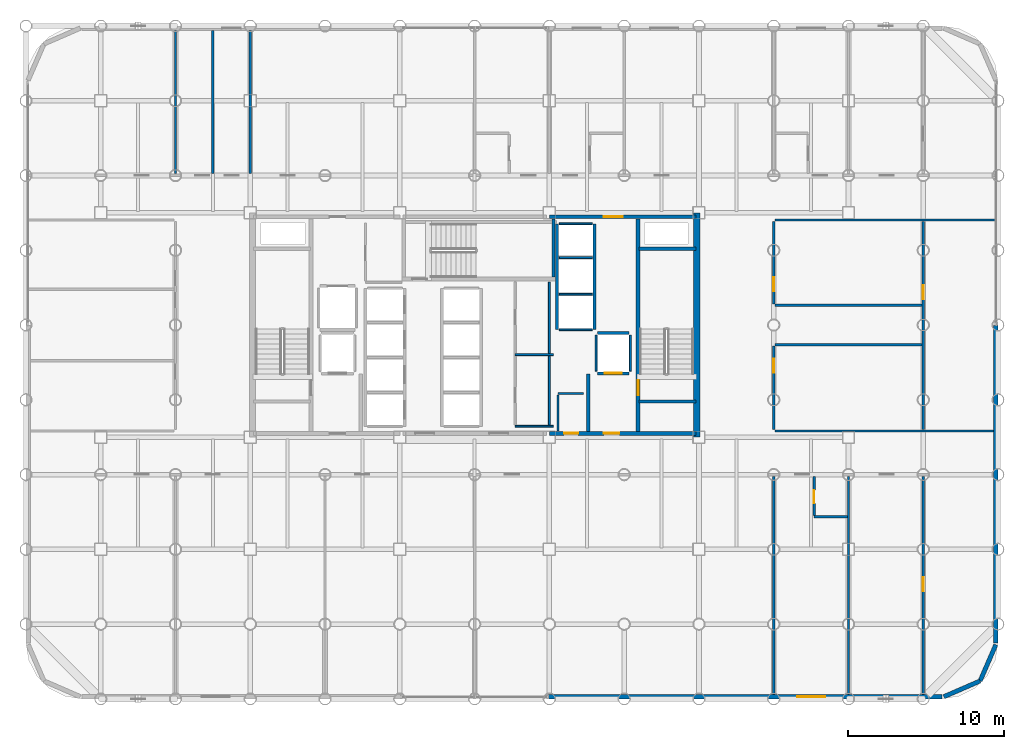
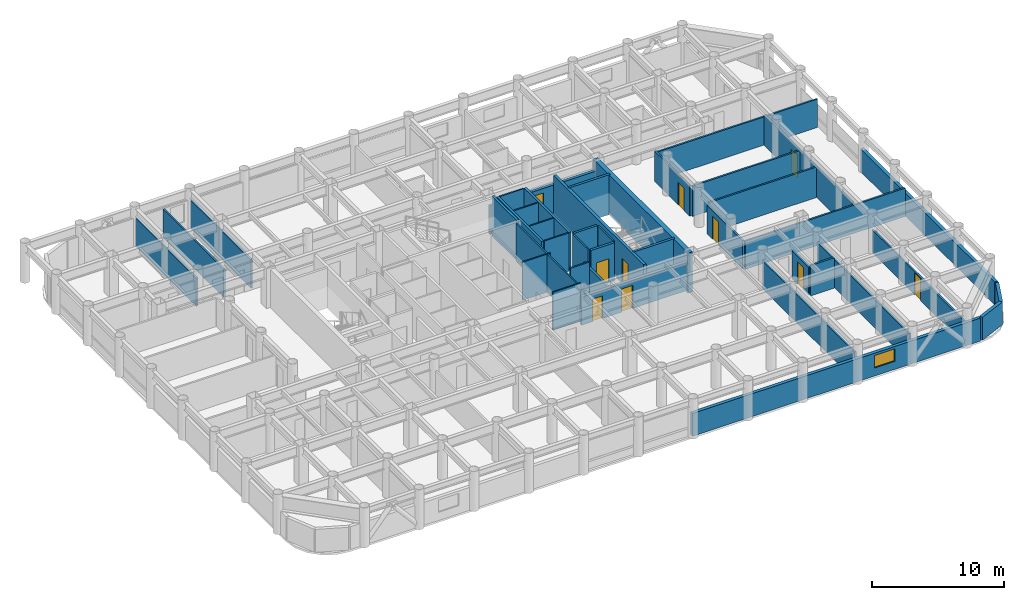
# One storey, part 16 of 19: 42 walls, 10 doors, 1 window, 11 openings.
"""IFC4 building model written with IfcOpenShell, lengths in metres."""

from ifc_helpers import new_model, si_unit, direction, frame, frame_2d, origin, place, context, subcontext, project, spatial, rectangle, extrude, material, layer, layer_set, type_object, element, fill, save


model = new_model("IFC4")

# Units and contexts
model_context = context("Model", 3, precision=1e-05, world=origin(), true_north=direction((0.0, 1.0)))
body_context = subcontext(model_context, "Body", "Model", "MODEL_VIEW")
ifc_project = project(units=[si_unit("LENGTHUNIT", "METRE"), si_unit("AREAUNIT", "SQUARE_METRE"), si_unit("VOLUMEUNIT", "CUBIC_METRE"), si_unit("PLANEANGLEUNIT", "RADIAN"), si_unit("MASSUNIT", "GRAM", prefix="KILO")], contexts=[model_context])

# Site, building, storey
site_placement = place(None, origin())
site = spatial("IfcSite", under=ifc_project, at=site_placement, CompositionType="ELEMENT")
building_placement = place(site_placement, origin())
building = spatial("IfcBuilding", under=site, at=building_placement, Name="Kallvorn Hotel Tower", CompositionType="ELEMENT")
storey_placement = place(building_placement, frame((0.0, 0.0, 63.300048828125)))
storey = spatial("IfcBuildingStorey", under=building, at=storey_placement, Name="L14", CompositionType="ELEMENT", Elevation=63.300048828125)

# Walls
ifc_material_1 = material(Name="Concrete C50/60", Category="concrete")
ifc_layer_1 = layer(ifc_material_1, 0.39990234375)
ifc_layer_set_1 = layer_set([ifc_layer_1], Name="WL_CORE_400")
wall_type_1 = type_object("IfcWallType", Name="WL_CORE_400", PredefinedType="SHEAR", material=ifc_layer_set_1)
wall_1_placement = place(storey_placement, frame((14.264892578125, -7.199951171875, -0.179931640625), z_axis=(0.0, 0.0, 1.0), x_axis=(0.0, 1.0, 0.0)))
element("IfcWall", 1, at=wall_1_placement, inside=storey, type_object=wall_type_1, Name="L14 Core East Shear Wall", PredefinedType="SHEAR", context=body_context, shape_type="SweptSolid", body=[
    extrude(rectangle(XDim=14.39990234375, YDim=0.39990234375, at=frame_2d((7.199951171875, 0.0))), origin(), (0.0, 0.0, 1.0), 3.699951171875),
])
ifc_material_2 = material(Name="Fire-rated double-layer acoustic gypsum drywall EI 60")
ifc_layer_2 = layer(ifc_material_2, 0.159912109375)
ifc_layer_set_2 = layer_set([ifc_layer_2], Name="WL_DEMISE_160")
wall_type_2 = type_object("IfcWallType", Name="WL_DEMISE_160", PredefinedType="PARTITIONING", material=ifc_layer_set_2)
wall_2_placement = place(storey_placement, frame((21.7900390625, -12.320068359375, 0.0), z_axis=(0.0, 0.0, 1.0), x_axis=(1.0, 0.0, 0.0)))
element("IfcWall", 2, at=wall_2_placement, inside=storey, type_object=wall_type_2, Name="L14 Suite 1401 Deluxe King Room Partition", PredefinedType="PARTITIONING", context=body_context, shape_type="SweptSolid", body=[
    extrude(rectangle(XDim=2.1298828125, YDim=0.159912109375, at=frame_2d((1.06494140625, 0.0))), origin(), (0.0, 0.0, 1.0), 2.820068359375),
])
wall_3_placement = place(storey_placement, frame((19.199951171875, -23.7099609375, 0.0), z_axis=(0.0, 0.0, 1.0), x_axis=(0.0, 1.0, 0.0)))
element("IfcWall", 3, at=wall_3_placement, inside=storey, type_object=wall_type_2, Name="L14 Suite 1401 Deluxe King Room Partition", PredefinedType="PARTITIONING", context=body_context, shape_type="SweptSolid", body=[
    extrude(rectangle(XDim=13.989990234375, YDim=0.159912109375, at=frame_2d((6.9951171875, 0.0))), origin(), (0.0, 0.0, 1.0), 2.619873046875),
])

# Wall, opening, door
wall_4_placement = place(storey_placement, frame((21.7900390625, -12.235107421875, 0.0), z_axis=(0.0, 0.0, 1.0), x_axis=(0.0, 1.0, 0.0)))
wall_4 = element("IfcWall", 4, at=wall_4_placement, inside=storey, type_object=wall_type_2, Name="L14 Suite 1401 Deluxe King Room Partition", PredefinedType="PARTITIONING", context=body_context, shape_type="SweptSolid", body=[
    extrude(rectangle(XDim=2.51513671875, YDim=0.159912109375, at=frame_2d((1.257568359375, 0.0))), origin(), (0.0, 0.0, 1.0), 2.619873046875),
])
opening_1_placement = place(wall_4_placement, frame((0.784912109375, 0.0, 0.0)))
opening_1 = element("IfcOpeningElement", 5, at=opening_1_placement, cuts=wall_4, Name="Opening BD-I", PredefinedType="OPENING", context=body_context, shape_type="SweptSolid", body=[
    extrude(rectangle(XDim=0.860107421875, YDim=2.10009765625, at=frame_2d((0.43017578125, 1.050048828125))), frame((0.0, 0.094970703125, 0.0), z_axis=(0.0, -1.0, 0.0), x_axis=(1.0, 0.0, 0.0)), (0.0, 0.0, 1.0), 0.18994140625),
])
ifc_material_3 = material(Name="Solid-core walnut veneer fire-rated timber door leaf", Category="wood")
door_type_1 = type_object("IfcDoorType", Name="DR_BATH_860x2100", OperationType="NOTDEFINED", PredefinedType="DOOR", material=ifc_material_3)
door_1_placement = place(opening_1_placement, origin())
door_1 = element("IfcDoor", 6, at=door_1_placement, inside=storey, type_object=door_type_1, Name="L14 Suite 1401 En-Suite Bathroom Door", OperationType="SINGLE_SWING_RIGHT", OverallHeight=2.10009765625, OverallWidth=0.860107421875, PredefinedType="DOOR", context=body_context, shape_type="SweptSolid", body=[
    extrude(rectangle(XDim=0.860107421875, YDim=2.10009765625, at=frame_2d((0.43017578125, 1.050048828125))), frame((0.0, 0.02490234375, 0.0), z_axis=(0.0, -1.0, 0.0), x_axis=(1.0, 0.0, 0.0)), (0.0, 0.0, 1.0), 0.050048828125),
])
fill(opening_1, door_1)

# Walls
wall_5_placement = place(storey_placement, frame((24.0, -23.7099609375, 0.0), z_axis=(0.0, 0.0, 1.0), x_axis=(0.0, 1.0, 0.0)))
element("IfcWall", 7, at=wall_5_placement, inside=storey, type_object=wall_type_2, Name="L14 Suite 1401 Deluxe King Room Partition", PredefinedType="PARTITIONING", context=body_context, shape_type="SweptSolid", body=[
    extrude(rectangle(XDim=13.989990234375, YDim=0.159912109375, at=frame_2d((6.9951171875, 0.0))), origin(), (0.0, 0.0, 1.0), 2.619873046875),
])
ifc_material_4 = material(Name="Precast basalt-clad insulated concrete wall C40/50", Category="masonry")
ifc_layer_3 = layer(ifc_material_4, 0.280029296875)
ifc_layer_set_3 = layer_set([ifc_layer_3], Name="WL_EXT_LOGGIA_280")
wall_type_3 = type_object("IfcWallType", Name="WL_EXT_LOGGIA_280", PredefinedType="SOLIDWALL", material=ifc_layer_set_3)
wall_6_placement = place(storey_placement, frame((30.120849609375, -23.85791015625, 0.0), z_axis=(0.0, 0.0, 1.0), x_axis=(0.917060872934, 0.398747232384, 0.0)))
element("IfcWall", 8, at=wall_6_placement, inside=storey, type_object=wall_type_3, Name="L14 Rounded Corner Exterior Wall SE1", PredefinedType="SOLIDWALL", context=body_context, shape_type="SweptSolid", body=[
    extrude(rectangle(XDim=2.5361328125, YDim=0.280029296875, at=frame_2d((1.26806640625, 0.0))), origin(), (0.0, 0.0, 1.0), 2.119873046875),
])
wall_7_placement = place(storey_placement, frame((32.446533203125, -22.8466796875, 0.0), z_axis=(0.0, 0.0, 1.0), x_axis=(0.398792985289, 0.917040977756, 0.0)))
element("IfcWall", 9, at=wall_7_placement, inside=storey, type_object=wall_type_3, Name="L14 Rounded Corner Exterior Wall SE2", PredefinedType="SOLIDWALL", context=body_context, shape_type="SweptSolid", body=[
    extrude(rectangle(XDim=2.536376953125, YDim=0.280029296875, at=frame_2d((1.26806640625, 0.0))), origin(), (0.0, 0.0, 1.0), 2.119873046875),
])

# Wall, opening, window
wall_8_placement = place(storey_placement, frame((4.75, -23.860107421875, 0.0), z_axis=(0.0, 0.0, 1.0), x_axis=(1.0, 0.0, 0.0)))
wall_8 = element("IfcWall", 10, at=wall_8_placement, inside=storey, type_object=wall_type_3, Name="L14 Exterior Envelope Wall EW-L14-SE", PredefinedType="SOLIDWALL", context=body_context, shape_type="SweptSolid", body=[
    extrude(rectangle(XDim=25.25, YDim=0.280029296875, at=frame_2d((12.625, 0.0))), origin(), (0.0, 0.0, 1.0), 2.119873046875),
])
opening_2_placement = place(wall_8_placement, frame((15.949951171875, 0.0, 0.75)))
opening_2 = element("IfcOpeningElement", 11, at=opening_2_placement, cuts=wall_8, Name="Opening W04A", PredefinedType="OPENING", context=body_context, shape_type="SweptSolid", body=[
    extrude(rectangle(XDim=1.800048828125, YDim=1.14990234375, at=frame_2d((0.89990234375, 0.574951171875))), frame((0.0, 0.155029296875, 0.0), z_axis=(0.0, -1.0, 0.0), x_axis=(1.0, 0.0, 0.0)), (0.0, 0.0, 1.0), 0.31005859375),
])
ifc_material_5 = material(Name="Double-glazed low-e solar-control dark glass", Category="glass")
window_type = type_object("IfcWindowType", Name="WN_HTL_1800x1150", PartitioningType="SINGLE_PANEL", PredefinedType="WINDOW", material=ifc_material_5)
window_placement = place(opening_2_placement, origin())
window = element("IfcWindow", 12, at=window_placement, inside=storey, type_object=window_type, Name="L14 Guestroom Exterior Window 02", OverallHeight=1.14990234375, OverallWidth=1.800048828125, PartitioningType="SINGLE_PANEL", PredefinedType="WINDOW", context=body_context, shape_type="SweptSolid", body=[
    extrude(rectangle(XDim=1.800048828125, YDim=1.14990234375, at=frame_2d((0.89990234375, 0.574951171875))), frame((0.0, 0.030029296875, 0.0), z_axis=(0.0, -1.0, 0.0), x_axis=(1.0, 0.0, 0.0)), (0.0, 0.0, 1.0), 0.06005859375),
])
fill(opening_2, window)

# Walls
wall_9_placement = place(storey_placement, frame((33.4599609375, -20.39990234375, 0.0), z_axis=(0.0, 0.0, 1.0), x_axis=(0.0, 1.0, 0.0)))
element("IfcWall", 13, at=wall_9_placement, inside=storey, type_object=wall_type_3, Name="L14 Exterior Envelope Wall EW-L14-ES", PredefinedType="SOLIDWALL", context=body_context, shape_type="SweptSolid", body=[
    extrude(rectangle(XDim=20.3798828125, YDim=0.280029296875, at=frame_2d((10.18994140625, 0.0))), origin(), (0.0, 0.0, 1.0), 2.119873046875),
])
ifc_material_6 = material(Name="Concrete C40/50", Category="concrete")
ifc_layer_4 = layer(ifc_material_6, 0.219970703125)
ifc_layer_set_4 = layer_set([ifc_layer_4], Name="WL_FFL_220")
wall_type_4 = type_object("IfcWallType", Name="WL_FFL_220", PredefinedType="SOLIDWALL", material=ifc_layer_set_4)
wall_10_placement = place(storey_placement, frame((7.300048828125, -6.820068359375, 0.0), z_axis=(0.0, 0.0, 1.0), x_axis=(0.0, 1.0, 0.0)))
element("IfcWall", 14, at=wall_10_placement, inside=storey, type_object=wall_type_4, Name="L14 Firefighting Lobby East Divider Wall", PredefinedType="SOLIDWALL", context=body_context, shape_type="SweptSolid", body=[
    extrude(rectangle(XDim=3.670166015625, YDim=0.219970703125, at=frame_2d((1.8349609375, 0.0))), origin(), (0.0, 0.0, 1.0), 2.619873046875),
])
ifc_material_7 = material(Name="Concrete C40/50", Category="concrete")
ifc_layer_5 = layer(ifc_material_7, 0.199951171875)
ifc_layer_set_5 = layer_set([ifc_layer_5], Name="WL_HOIST_200")
wall_type_5 = type_object("IfcWallType", Name="WL_HOIST_200", PredefinedType="SOLIDWALL", material=ifc_layer_set_5)
for number, where, z_axis, x_axis, name in (
    (15, (10.550048828125, -4.89990234375, -0.179931640625), (0.0, 0.0, 1.0), (1.0, 0.0, 0.0), "L14 Stair ST2 South Wall"),
    (16, (10.550048828125, 4.89990234375, -0.179931640625), (0.0, 0.0, 1.0), (1.0, 0.0, 0.0), "L14 Stair ST2 North Wall"),
):
    element("IfcWall", number, at=place(storey_placement, frame(where, z_axis=z_axis, x_axis=x_axis)), inside=storey, type_object=wall_type_5, Name=name, PredefinedType="SOLIDWALL", context=body_context, shape_type="SweptSolid", body=[
        extrude(rectangle(XDim=3.64990234375, YDim=0.199951171875, at=frame_2d((1.824951171875, 0.0))), origin(), (0.0, 0.0, 1.0), 3.699951171875),
    ])
wall_11_placement = place(storey_placement, frame((5.06005859375, 3.080078125, -0.179931640625), z_axis=(0.0, 0.0, 1.0), x_axis=(0.0, 1.0, 0.0)))
element("IfcWall", 17, at=wall_11_placement, inside=storey, type_object=wall_type_5, Name="L14 Stair ST3 East Wall", PredefinedType="SOLIDWALL", context=body_context, shape_type="SweptSolid", body=[
    extrude(rectangle(XDim=3.739990234375, YDim=0.199951171875, at=frame_2d((1.8701171875, 0.0))), origin(), (0.0, 0.0, 1.0), 3.699951171875),
])
for number, where, z_axis, x_axis, name in (
    (18, (7.699951171875, -0.300048828125, 0.0), (0.0, 0.0, 1.0), (0.0, 1.0, 0.0), "L14 Lift Bank OBS Landing Wall"),
    (19, (5.300048828125, -0.300048828125, 0.0), (0.0, 0.0, 1.0), (0.0, 1.0, 0.0), "L14 Lift Bank OBS Rear Shaft Wall"),
):
    element("IfcWall", number, at=place(storey_placement, frame(where, z_axis=z_axis, x_axis=x_axis)), inside=storey, type_object=wall_type_5, Name=name, PredefinedType="SOLIDWALL", context=body_context, shape_type="SweptSolid", body=[
        extrude(rectangle(XDim=6.800048828125, YDim=0.199951171875, at=frame_2d((3.39990234375, 0.0))), origin(), (0.0, 0.0, 1.0), 3.52001953125),
    ])

# Wall, opening, door
wall_12_placement = place(storey_placement, frame((7.8798828125, -3.10009765625, 0.0), z_axis=(0.0, 0.0, 1.0), x_axis=(1.0, 0.0, 0.0)))
wall_12 = element("IfcWall", 20, at=wall_12_placement, inside=storey, type_object=wall_type_5, Name="L14 FL-2 Landing Wall", PredefinedType="SOLIDWALL", context=body_context, shape_type="SweptSolid", body=[
    extrude(rectangle(XDim=2.0400390625, YDim=0.199951171875, at=frame_2d((1.02001953125, 0.0))), origin(), (0.0, 0.0, 1.0), 3.52001953125),
])
opening_3_placement = place(wall_12_placement, frame((0.469970703125, 0.0, 0.0)))
opening_3 = element("IfcOpeningElement", 21, at=opening_3_placement, cuts=wall_12, Name="Opening LD-FL-2", PredefinedType="OPENING", context=body_context, shape_type="SweptSolid", body=[
    extrude(rectangle(XDim=1.10009765625, YDim=2.199951171875, at=frame_2d((0.550048828125, 1.10009765625))), frame((0.0, 0.114990234375, 0.0), z_axis=(0.0, -1.0, 0.0), x_axis=(1.0, 0.0, 0.0)), (0.0, 0.0, 1.0), 0.22998046875),
])
ifc_material_8 = material(Name="Brushed stainless-steel automatic sliding lift landing door", Category="steel")
door_type_2 = type_object("IfcDoorType", Name="LD_PASS_1100x2200", OperationType="SLIDING_TO_LEFT", PredefinedType="DOOR", material=ifc_material_8)
door_2_placement = place(opening_3_placement, origin())
door_2 = element("IfcDoor", 22, at=door_2_placement, inside=storey, type_object=door_type_2, Name="L14 Lift Landing Sliding Door LD-FL-2", OperationType="SLIDING_TO_LEFT", OverallHeight=2.199951171875, OverallWidth=1.10009765625, PredefinedType="DOOR", context=body_context, shape_type="SweptSolid", body=[
    extrude(rectangle(XDim=1.10009765625, YDim=2.199951171875, at=frame_2d((0.550048828125, 1.10009765625))), frame((0.0, 0.02490234375, 0.0), z_axis=(0.0, -1.0, 0.0), x_axis=(1.0, 0.0, 0.0)), (0.0, 0.0, 1.0), 0.050048828125),
])
fill(opening_3, door_2)

# Walls
wall_13_placement = place(storey_placement, frame((7.8798828125, -0.5, 0.0), z_axis=(0.0, 0.0, 1.0), x_axis=(1.0, 0.0, 0.0)))
element("IfcWall", 23, at=wall_13_placement, inside=storey, type_object=wall_type_5, Name="L14 FL-2 Rear Shaft Wall", PredefinedType="SOLIDWALL", context=body_context, shape_type="SweptSolid", body=[
    extrude(rectangle(XDim=2.0400390625, YDim=0.199951171875, at=frame_2d((1.02001953125, 0.0))), origin(), (0.0, 0.0, 1.0), 3.52001953125),
])
ifc_material_9 = material(Name="Fire-rated double-layer acoustic gypsum drywall EI 60")
ifc_layer_6 = layer(ifc_material_9, 0.1201171875)
ifc_layer_set_6 = layer_set([ifc_layer_6], Name="WL_INT_120")
wall_type_6 = type_object("IfcWallType", Name="WL_INT_120", PredefinedType="PARTITIONING", material=ifc_layer_set_6)
for number, where, z_axis, x_axis, name in (
    (24, (5.43994140625, -0.300048828125, 0.0), (0.0, 0.0, 1.0), (1.0, 0.0, 0.0), "L14 Lift Bank OBS South Closure Wall"),
    (25, (5.43994140625, 1.97509765625, 0.0), (0.0, 0.0, 1.0), (1.0, 0.0, 0.0), "L14 OB-01 Hoistway Divider"),
    (26, (5.43994140625, 4.324951171875, 0.0), (0.0, 0.0, 1.0), (1.0, 0.0, 0.0), "L14 OB-02 Hoistway Divider"),
    (27, (5.43994140625, 6.5, 0.0), (0.0, 0.0, 1.0), (1.0, 0.0, 0.0), "L14 OB-03 Hoistway Divider"),
):
    element("IfcWall", number, at=place(storey_placement, frame(where, z_axis=z_axis, x_axis=x_axis)), inside=storey, type_object=wall_type_6, Name=name, PredefinedType="PARTITIONING", context=body_context, shape_type="SweptSolid", body=[
        extrude(rectangle(XDim=2.1201171875, YDim=0.1201171875, at=frame_2d((1.06005859375, 0.0))), origin(), (0.0, 0.0, 1.0), 3.52001953125),
    ])
for number, where, z_axis, x_axis, name in (
    (28, (7.800048828125, -2.9599609375, 0.0), (0.0, 0.0, 1.0), (0.0, 1.0, 0.0), "L14 FL-2 West Shaft Wall"),
    (29, (10.0, -2.9599609375, 0.0), (0.0, 0.0, 1.0), (0.0, 1.0, 0.0), "L14 FL-2 East Shaft Wall"),
):
    element("IfcWall", number, at=place(storey_placement, frame(where, z_axis=z_axis, x_axis=x_axis)), inside=storey, type_object=wall_type_6, Name=name, PredefinedType="PARTITIONING", context=body_context, shape_type="SweptSolid", body=[
        extrude(rectangle(XDim=2.320068359375, YDim=0.1201171875, at=frame_2d((1.16015625, 0.0))), origin(), (0.0, 0.0, 1.0), 3.52001953125),
    ])
for number, where, z_axis, x_axis, name in (
    (30, (2.60009765625, -6.5, 0.0), (0.0, 0.0, 1.0), (1.0, 0.0, 0.0), "L14 East Core Amenities and Minibar Store Partition"),
    (31, (2.60009765625, -1.89990234375, 0.0), (0.0, 0.0, 1.0), (1.0, 0.0, 0.0), "L14 East Core Amenities and Minibar Store Partition"),
):
    element("IfcWall", number, at=place(storey_placement, frame(where, z_axis=z_axis, x_axis=x_axis)), inside=storey, type_object=wall_type_6, Name=name, PredefinedType="PARTITIONING", context=body_context, shape_type="SweptSolid", body=[
        extrude(rectangle(XDim=2.449951171875, YDim=0.1201171875, at=frame_2d((1.22509765625, 0.0))), origin(), (0.0, 0.0, 1.0), 3.52001953125),
    ])
wall_14_placement = place(storey_placement, frame((4.800048828125, -6.4150390625, 0.0), z_axis=(0.0, 0.0, 1.0), x_axis=(0.0, 1.0, 0.0)))
element("IfcWall", 32, at=wall_14_placement, inside=storey, type_object=wall_type_6, Name="L14 East Core Amenities and Minibar Store Partition", PredefinedType="PARTITIONING", context=body_context, shape_type="SweptSolid", body=[
    extrude(rectangle(XDim=9.1650390625, YDim=0.1201171875, at=frame_2d((4.58251953125, 0.0))), origin(), (0.0, 0.0, 1.0), 3.52001953125),
])
ifc_material_10 = material(Name="Fire-rated double-layer acoustic gypsum drywall EI 60")
ifc_layer_7 = layer(ifc_material_10, 0.14990234375)
ifc_layer_set_7 = layer_set([ifc_layer_7], Name="WL_PART_150")
wall_type_7 = type_object("IfcWallType", Name="WL_PART_150", PredefinedType="PARTITIONING", material=ifc_layer_set_7)
wall_15_placement = place(storey_placement, frame((19.280029296875, -6.800048828125, 0.0), z_axis=(0.0, 0.0, 1.0), x_axis=(1.0, 0.0, 0.0)))
element("IfcWall", 33, at=wall_15_placement, inside=storey, type_object=wall_type_7, Name="L14 L14 East Inner Club Bar Partition", PredefinedType="PARTITIONING", context=body_context, shape_type="SweptSolid", body=[
    extrude(rectangle(XDim=14.030029296875, YDim=0.14990234375, at=frame_2d((7.01513671875, 0.0))), origin(), (0.0, 0.0, 1.0), 2.619873046875),
])
for number, where, z_axis, x_axis, name in (
    (34, (19.280029296875, -1.260009765625, 0.0), (0.0, 0.0, 1.0), (1.0, 0.0, 0.0), "L14 L14 East Inner Club Bar Partition"),
    (35, (19.280029296875, 1.260009765625, 0.0), (0.0, 0.0, 1.0), (1.0, 0.0, 0.0), "L14 L14 East Inner Screening Salon Partition"),
):
    element("IfcWall", number, at=place(storey_placement, frame(where, z_axis=z_axis, x_axis=x_axis)), inside=storey, type_object=wall_type_7, Name=name, PredefinedType="PARTITIONING", context=body_context, shape_type="SweptSolid", body=[
        extrude(rectangle(XDim=9.43994140625, YDim=0.14990234375, at=frame_2d((4.719970703125, 0.0))), origin(), (0.0, 0.0, 1.0), 2.820068359375),
    ])
wall_16_placement = place(storey_placement, frame((19.280029296875, 6.737548828125, 0.0), z_axis=(0.0, 0.0, 1.0), x_axis=(1.0, 0.0, 0.0)))
element("IfcWall", 36, at=wall_16_placement, inside=storey, type_object=wall_type_7, Name="L14 L14 East Inner Screening Salon Partition", PredefinedType="PARTITIONING", context=body_context, shape_type="SweptSolid", body=[
    extrude(rectangle(XDim=14.14990234375, YDim=0.14990234375, at=frame_2d((7.074951171875, 0.0))), origin(), (0.0, 0.0, 1.0), 2.619873046875),
])
for number, where, z_axis, x_axis, name in (
    (37, (-19.199951171875, 9.719970703125, 0.0), (0.0, 0.0, 1.0), (0.0, 1.0, 0.0), "L14 Housekeeping and Linen Room Partition"),
    (38, (-16.800048828125, 9.719970703125, 0.0), (0.0, 0.0, 1.0), (0.0, 1.0, 0.0), "L14 Guest Tea and Refreshment Bar Partition"),
    (39, (-14.39990234375, 9.719970703125, 0.0), (0.0, 0.0, 1.0), (0.0, 1.0, 0.0), "L14 Guest Tea and Refreshment Bar Partition"),
):
    element("IfcWall", number, at=place(storey_placement, frame(where, z_axis=z_axis, x_axis=x_axis)), inside=storey, type_object=wall_type_7, Name=name, PredefinedType="PARTITIONING", context=body_context, shape_type="SweptSolid", body=[
        extrude(rectangle(XDim=9.18994140625, YDim=0.14990234375, at=frame_2d((4.594970703125, 0.0))), origin(), (0.0, 0.0, 1.0), 2.619873046875),
    ])

# Wall, opening, door
wall_17_placement = place(storey_placement, frame((19.199951171875, -6.715087890625, 0.0), z_axis=(0.0, 0.0, 1.0), x_axis=(0.0, 1.0, 0.0)))
wall_17 = element("IfcWall", 40, at=wall_17_placement, inside=storey, type_object=wall_type_7, Name="L14 L14 East Inner Club Bar Partition", PredefinedType="PARTITIONING", context=body_context, shape_type="SweptSolid", body=[
    extrude(rectangle(XDim=5.3701171875, YDim=0.14990234375, at=frame_2d((2.68505859375, 0.0))), origin(), (0.0, 0.0, 1.0), 2.619873046875),
])
opening_4_placement = place(wall_17_placement, frame((3.66015625, 0.0, 0.0)))
opening_4 = element("IfcOpeningElement", 41, at=opening_4_placement, cuts=wall_17, Name="Opening SVD1", PredefinedType="OPENING", context=body_context, shape_type="SweptSolid", body=[
    extrude(rectangle(XDim=0.89990234375, YDim=2.10009765625, at=frame_2d((0.449951171875, 1.050048828125))), frame((0.0, 0.08984375, 0.0), z_axis=(0.0, -1.0, 0.0), x_axis=(1.0, 0.0, 0.0)), (0.0, 0.0, 1.0), 0.179931640625),
])
ifc_material_11 = material(Name="Galvanised painted steel fire-rated door assembly", Category="steel")
door_type_3 = type_object("IfcDoorType", Name="DR_SERV_900x2100", OperationType="NOTDEFINED", PredefinedType="DOOR", material=ifc_material_11)
door_3_placement = place(opening_4_placement, origin())
door_3 = element("IfcDoor", 42, at=door_3_placement, inside=storey, type_object=door_type_3, Name="L14 L14 East Inner Club Bar Door", OperationType="SINGLE_SWING_RIGHT", OverallHeight=2.10009765625, OverallWidth=0.89990234375, PredefinedType="DOOR", context=body_context, shape_type="SweptSolid", body=[
    extrude(rectangle(XDim=0.89990234375, YDim=2.10009765625, at=frame_2d((0.449951171875, 1.050048828125))), frame((0.0, 0.02490234375, 0.0), z_axis=(0.0, -1.0, 0.0), x_axis=(1.0, 0.0, 0.0)), (0.0, 0.0, 1.0), 0.050048828125),
])
fill(opening_4, door_3)

wall_18_placement = place(storey_placement, frame((19.199951171875, 1.344970703125, 0.0), z_axis=(0.0, 0.0, 1.0), x_axis=(0.0, 1.0, 0.0)))
wall_18 = element("IfcWall", 43, at=wall_18_placement, inside=storey, type_object=wall_type_7, Name="L14 L14 East Inner Screening Salon Partition", PredefinedType="PARTITIONING", context=body_context, shape_type="SweptSolid", body=[
    extrude(rectangle(XDim=5.3076171875, YDim=0.14990234375, at=frame_2d((2.65380859375, 0.0))), origin(), (0.0, 0.0, 1.0), 2.820068359375),
])
opening_5_placement = place(wall_18_placement, frame((0.815185546875, 0.0, 0.0)))
opening_5 = element("IfcOpeningElement", 44, at=opening_5_placement, cuts=wall_18, Name="Opening SVD1", PredefinedType="OPENING", context=body_context, shape_type="SweptSolid", body=[
    extrude(rectangle(XDim=0.89990234375, YDim=2.10009765625, at=frame_2d((0.449951171875, 1.050048828125))), frame((0.0, 0.08984375, 0.0), z_axis=(0.0, -1.0, 0.0), x_axis=(1.0, 0.0, 0.0)), (0.0, 0.0, 1.0), 0.179931640625),
])
door_4_placement = place(opening_5_placement, origin())
door_4 = element("IfcDoor", 45, at=door_4_placement, inside=storey, type_object=door_type_3, Name="L14 L14 East Inner Screening Salon Door", OperationType="SINGLE_SWING_LEFT", OverallHeight=2.10009765625, OverallWidth=0.89990234375, PredefinedType="DOOR", context=body_context, shape_type="SweptSolid", body=[
    extrude(rectangle(XDim=0.89990234375, YDim=2.10009765625, at=frame_2d((0.449951171875, 1.050048828125))), frame((0.0, 0.02490234375, 0.0), z_axis=(0.0, -1.0, 0.0), x_axis=(1.0, 0.0, 0.0)), (0.0, 0.0, 1.0), 0.050048828125),
])
fill(opening_5, door_4)

wall_19_placement = place(storey_placement, frame((28.800048828125, -23.7099609375, 0.0), z_axis=(0.0, 0.0, 1.0), x_axis=(0.0, 1.0, 0.0)))
wall_19 = element("IfcWall", 46, at=wall_19_placement, inside=storey, type_object=wall_type_7, Name="L14 L14 South-East Sommelier Bar A Partition", PredefinedType="PARTITIONING", context=body_context, shape_type="SweptSolid", body=[
    extrude(rectangle(XDim=13.989990234375, YDim=0.14990234375, at=frame_2d((6.9951171875, 0.0))), origin(), (0.0, 0.0, 1.0), 2.119873046875),
])
opening_6_placement = place(wall_19_placement, frame((6.625, 0.0, 0.0)))
opening_6 = element("IfcOpeningElement", 47, at=opening_6_placement, cuts=wall_19, Name="Opening SVD1A", PredefinedType="OPENING", context=body_context, shape_type="SweptSolid", body=[
    extrude(rectangle(XDim=0.89990234375, YDim=2.02001953125, at=frame_2d((0.449951171875, 1.010009765625))), frame((0.0, 0.08984375, 0.0), z_axis=(0.0, -1.0, 0.0), x_axis=(1.0, 0.0, 0.0)), (0.0, 0.0, 1.0), 0.179931640625),
])
ifc_material_12 = material(Name="Galvanised painted steel fire-rated door assembly", Category="steel")
door_type_4 = type_object("IfcDoorType", Name="DR_SERV_900x2020", OperationType="NOTDEFINED", PredefinedType="DOOR", material=ifc_material_12)
door_5_placement = place(opening_6_placement, origin())
door_5 = element("IfcDoor", 48, at=door_5_placement, inside=storey, type_object=door_type_4, Name="L14 L14 South-East Sommelier Bar B Door", OperationType="SINGLE_SWING_LEFT", OverallHeight=2.02001953125, OverallWidth=0.89990234375, PredefinedType="DOOR", context=body_context, shape_type="SweptSolid", body=[
    extrude(rectangle(XDim=0.89990234375, YDim=2.02001953125, at=frame_2d((0.449951171875, 1.010009765625))), frame((0.0, 0.02490234375, 0.0), z_axis=(0.0, -1.0, 0.0), x_axis=(1.0, 0.0, 0.0)), (0.0, 0.0, 1.0), 0.050048828125),
])
fill(opening_6, door_5)

wall_20_placement = place(storey_placement, frame((28.800048828125, -6.715087890625, 0.0), z_axis=(0.0, 0.0, 1.0), x_axis=(0.0, 1.0, 0.0)))
wall_20 = element("IfcWall", 49, at=wall_20_placement, inside=storey, type_object=wall_type_7, Name="L14 L14 East Inner Club Bar Partition", PredefinedType="PARTITIONING", context=body_context, shape_type="SweptSolid", body=[
    extrude(rectangle(XDim=13.36767578125, YDim=0.14990234375, at=frame_2d((6.683837890625, 0.0))), origin(), (0.0, 0.0, 1.0), 2.820068359375),
])
opening_7_placement = place(wall_20_placement, frame((8.370849609375, 0.0, 0.0)))
opening_7 = element("IfcOpeningElement", 50, at=opening_7_placement, cuts=wall_20, Name="Opening SVD1", PredefinedType="OPENING", context=body_context, shape_type="SweptSolid", body=[
    extrude(rectangle(XDim=0.89990234375, YDim=2.10009765625, at=frame_2d((0.449951171875, 1.050048828125))), frame((0.0, 0.08984375, 0.0), z_axis=(0.0, -1.0, 0.0), x_axis=(1.0, 0.0, 0.0)), (0.0, 0.0, 1.0), 0.179931640625),
])
door_6_placement = place(opening_7_placement, origin())
door_6 = element("IfcDoor", 51, at=door_6_placement, inside=storey, type_object=door_type_3, Name="L14 L14 E Cordillera Panorama Dining Salon Door", OperationType="SINGLE_SWING_LEFT", OverallHeight=2.10009765625, OverallWidth=0.89990234375, PredefinedType="DOOR", context=body_context, shape_type="SweptSolid", body=[
    extrude(rectangle(XDim=0.89990234375, YDim=2.10009765625, at=frame_2d((0.449951171875, 1.050048828125))), frame((0.0, 0.02490234375, 0.0), z_axis=(0.0, -1.0, 0.0), x_axis=(1.0, 0.0, 0.0)), (0.0, 0.0, 1.0), 0.050048828125),
])
fill(opening_7, door_6)

# Walls
ifc_material_13 = material(Name="Moisture-resistant acoustic plumbing chase wall EI 60")
ifc_layer_8 = layer(ifc_material_13, 0.139892578125)
ifc_layer_set_8 = layer_set([ifc_layer_8], Name="WL_PLUMB_140")
wall_type_8 = type_object("IfcWallType", Name="WL_PLUMB_140", PredefinedType="PLUMBINGWALL", material=ifc_layer_set_8)
wall_21_placement = place(storey_placement, frame((5.35009765625, -4.39990234375, 0.0), z_axis=(0.0, 0.0, 1.0), x_axis=(1.0, 0.0, 0.0)))
element("IfcWall", 52, at=wall_21_placement, inside=storey, type_object=wall_type_8, Name="L14 Core Staff Restroom WC Partition", PredefinedType="PLUMBINGWALL", context=body_context, shape_type="SweptSolid", body=[
    extrude(rectangle(XDim=1.64990234375, YDim=0.139892578125, at=frame_2d((0.824951171875, 0.0))), origin(), (0.0, 0.0, 1.0), 3.52001953125),
])
wall_22_placement = place(storey_placement, frame((5.35009765625, -6.800048828125, 0.0), z_axis=(0.0, 0.0, 1.0), x_axis=(0.0, 1.0, 0.0)))
element("IfcWall", 53, at=wall_22_placement, inside=storey, type_object=wall_type_8, Name="L14 Core Staff Restroom WC Partition", PredefinedType="PLUMBINGWALL", context=body_context, shape_type="SweptSolid", body=[
    extrude(rectangle(XDim=2.31494140625, YDim=0.139892578125, at=frame_2d((1.157470703125, 0.0))), origin(), (0.0, 0.0, 1.0), 2.619873046875),
])

# Wall, openings, doors
ifc_material_14 = material(Name="Concrete C40/50", Category="concrete")
ifc_layer_9 = layer(ifc_material_14, 0.25)
ifc_layer_set_9 = layer_set([ifc_layer_9], Name="WL_SHAFT_250")
wall_type_9 = type_object("IfcWallType", Name="WL_SHAFT_250", PredefinedType="SOLIDWALL", material=ifc_layer_set_9)
wall_23_placement = place(storey_placement, frame((4.800048828125, -6.949951171875, 0.0), z_axis=(0.0, 0.0, 1.0), x_axis=(1.0, 0.0, 0.0)))
wall_23 = element("IfcWall", 54, at=wall_23_placement, inside=storey, type_object=wall_type_9, Name="L14 Core South-East Wall", PredefinedType="SOLIDWALL", context=body_context, shape_type="SweptSolid", body=[
    extrude(rectangle(XDim=9.39990234375, YDim=0.25, at=frame_2d((4.699951171875, 0.0))), origin(), (0.0, 0.0, 1.0), 2.619873046875),
])
opening_8_placement = place(wall_23_placement, frame((3.5, 0.0, 0.0)))
opening_8 = element("IfcOpeningElement", 55, at=opening_8_placement, cuts=wall_23, Name="Opening FD1", PredefinedType="OPENING", context=body_context, shape_type="SweptSolid", body=[
    extrude(rectangle(XDim=1.0, YDim=2.14990234375, at=frame_2d((0.5, 1.074951171875))), frame((0.0, 0.139892578125, 0.0), z_axis=(0.0, -1.0, 0.0), x_axis=(1.0, 0.0, 0.0)), (0.0, 0.0, 1.0), 0.280029296875),
])
opening_9_placement = place(wall_23_placement, frame((0.949951171875, 0.0, 0.0)))
opening_9 = element("IfcOpeningElement", 56, at=opening_9_placement, cuts=wall_23, Name="Opening SVD1", PredefinedType="OPENING", context=body_context, shape_type="SweptSolid", body=[
    extrude(rectangle(XDim=0.89990234375, YDim=2.10009765625, at=frame_2d((0.449951171875, 1.050048828125))), frame((0.0, 0.139892578125, 0.0), z_axis=(0.0, -1.0, 0.0), x_axis=(1.0, 0.0, 0.0)), (0.0, 0.0, 1.0), 0.280029296875),
])
ifc_material_15 = material(Name="Galvanised painted steel fire-rated door assembly", Category="steel")
door_type_5 = type_object("IfcDoorType", Name="DR_FFL_1000x2150", OperationType="NOTDEFINED", PredefinedType="DOOR", material=ifc_material_15)
door_7_placement = place(opening_8_placement, origin())
door_7 = element("IfcDoor", 57, at=door_7_placement, inside=storey, type_object=door_type_5, Name="L14 Firefighting Lobby East Door", OperationType="SINGLE_SWING_LEFT", OverallHeight=2.14990234375, OverallWidth=1.0, PredefinedType="DOOR", context=body_context, shape_type="SweptSolid", body=[
    extrude(rectangle(XDim=1.0, YDim=2.14990234375, at=frame_2d((0.5, 1.074951171875))), frame((0.0, 0.02490234375, 0.0), z_axis=(0.0, -1.0, 0.0), x_axis=(1.0, 0.0, 0.0)), (0.0, 0.0, 1.0), 0.050048828125),
])
fill(opening_8, door_7)
door_8_placement = place(opening_9_placement, origin())
door_8 = element("IfcDoor", 58, at=door_8_placement, inside=storey, type_object=door_type_3, Name="L14 Core Staff Restroom WC Door", OperationType="SINGLE_SWING_LEFT", OverallHeight=2.10009765625, OverallWidth=0.89990234375, PredefinedType="DOOR", context=body_context, shape_type="SweptSolid", body=[
    extrude(rectangle(XDim=0.89990234375, YDim=2.10009765625, at=frame_2d((0.449951171875, 1.050048828125))), frame((0.0, 0.02490234375, 0.0), z_axis=(0.0, -1.0, 0.0), x_axis=(1.0, 0.0, 0.0)), (0.0, 0.0, 1.0), 0.050048828125),
])
fill(opening_9, door_8)

# Wall, opening, door
wall_24_placement = place(storey_placement, frame((4.800048828125, 6.949951171875, 0.0), z_axis=(0.0, 0.0, 1.0), x_axis=(1.0, 0.0, 0.0)))
wall_24 = element("IfcWall", 59, at=wall_24_placement, inside=storey, type_object=wall_type_9, Name="L14 Core North-East Wall", PredefinedType="SOLIDWALL", context=body_context, shape_type="SweptSolid", body=[
    extrude(rectangle(XDim=9.39990234375, YDim=0.25, at=frame_2d((4.699951171875, 0.0))), origin(), (0.0, 0.0, 1.0), 2.619873046875),
])
opening_10_placement = place(wall_24_placement, frame((3.5, 0.0, 0.0)))
opening_10 = element("IfcOpeningElement", 60, at=opening_10_placement, cuts=wall_24, Name="Opening FD2", PredefinedType="OPENING", context=body_context, shape_type="SweptSolid", body=[
    extrude(rectangle(XDim=1.199951171875, YDim=2.199951171875, at=frame_2d((0.60009765625, 1.10009765625))), frame((0.0, 0.139892578125, 0.0), z_axis=(0.0, -1.0, 0.0), x_axis=(1.0, 0.0, 0.0)), (0.0, 0.0, 1.0), 0.280029296875),
])
ifc_material_16 = material(Name="Galvanised painted steel fire-rated door assembly", Category="steel")
door_type_6 = type_object("IfcDoorType", Name="DR_LOBBY_1200x2200", OperationType="DOUBLE_DOOR_SINGLE_SWING", PredefinedType="DOOR", material=ifc_material_16)
door_9_placement = place(opening_10_placement, origin())
door_9 = element("IfcDoor", 61, at=door_9_placement, inside=storey, type_object=door_type_6, Name="L14 Observatory Shuttle Lobby Door", OperationType="DOUBLE_DOOR_SINGLE_SWING", OverallHeight=2.199951171875, OverallWidth=1.199951171875, PredefinedType="DOOR", context=body_context, shape_type="SweptSolid", body=[
    extrude(rectangle(XDim=1.199951171875, YDim=2.199951171875, at=frame_2d((0.60009765625, 1.10009765625))), frame((0.0, 0.02490234375, 0.0), z_axis=(0.0, -1.0, 0.0), x_axis=(1.0, 0.0, 0.0)), (0.0, 0.0, 1.0), 0.050048828125),
])
fill(opening_10, door_9)

wall_25_placement = place(storey_placement, frame((10.5, -6.820068359375, -0.179931640625), z_axis=(0.0, 0.0, 1.0), x_axis=(0.0, 1.0, 0.0)))
wall_25 = element("IfcWall", 62, at=wall_25_placement, inside=storey, type_object=wall_type_9, Name="L14 Stair ST2 Shaft Wall", PredefinedType="SOLIDWALL", context=body_context, shape_type="SweptSolid", body=[
    extrude(rectangle(XDim=13.64013671875, YDim=0.25, at=frame_2d((6.820068359375, 0.0))), origin(), (0.0, 0.0, 1.0), 3.699951171875),
])
opening_11_placement = place(wall_25_placement, frame((2.320068359375, 0.0, 0.179931640625)))
opening_11 = element("IfcOpeningElement", 63, at=opening_11_placement, cuts=wall_25, Name="Opening SD1", PredefinedType="OPENING", context=body_context, shape_type="SweptSolid", body=[
    extrude(rectangle(XDim=0.949951171875, YDim=2.14990234375, at=frame_2d((0.47509765625, 1.074951171875))), frame((0.0, 0.139892578125, 0.0), z_axis=(0.0, -1.0, 0.0), x_axis=(1.0, 0.0, 0.0)), (0.0, 0.0, 1.0), 0.280029296875),
])
ifc_material_17 = material(Name="Galvanised painted steel fire-rated door assembly", Category="steel")
door_type_7 = type_object("IfcDoorType", Name="DR_STAIR_950x2150", OperationType="NOTDEFINED", PredefinedType="DOOR", material=ifc_material_17)
door_10_placement = place(opening_11_placement, origin())
door_10 = element("IfcDoor", 64, at=door_10_placement, inside=storey, type_object=door_type_7, Name="L14 Exit Stair ST2 Fire Door", OperationType="SINGLE_SWING_RIGHT", OverallHeight=2.14990234375, OverallWidth=0.949951171875, PredefinedType="DOOR", context=body_context, shape_type="SweptSolid", body=[
    extrude(rectangle(XDim=0.949951171875, YDim=2.14990234375, at=frame_2d((0.47509765625, 1.074951171875))), frame((0.0, 0.02490234375, 0.0), z_axis=(0.0, -1.0, 0.0), x_axis=(1.0, 0.0, 0.0)), (0.0, 0.0, 1.0), 0.050048828125),
])
fill(opening_11, door_10)

save(model, "model.ifc")
